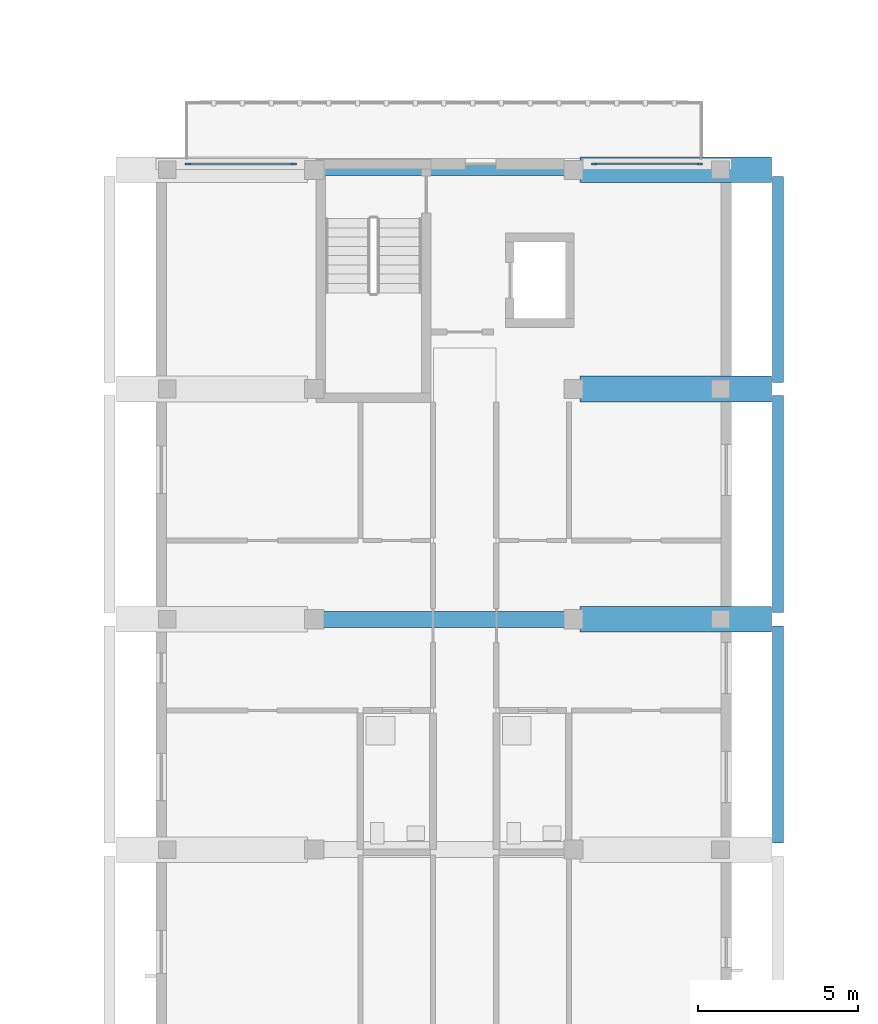
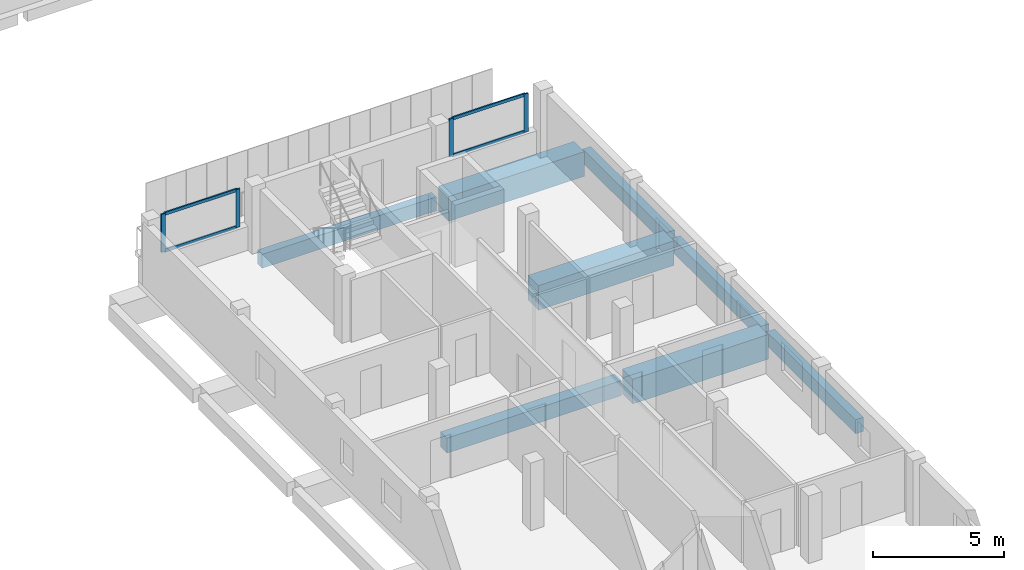
# One storey, part 7 of 41: 8 beams, 8 members, 2 elements without a shape of their own.
"""IFC4 building model written with IfcOpenShell, lengths in metres."""

from ifc_helpers import new_model, si_unit, derived_unit, direction, frame, origin, origin_2d, place, context, subcontext, project, spatial, rectangle, extrude, material, layer, layer_set, material_profile, profile_set, type_object, element, aggregate, save


model = new_model("IFC4")

# Units and contexts
model_context = context("Model", 3, precision=1e-05, world=origin(), true_north=direction((0.0, 1.0)))
body_context = subcontext(model_context, "Body", "Model", "MODEL_VIEW")
ifc_project = project(units=[si_unit("LENGTHUNIT", "METRE"), si_unit("AREAUNIT", "SQUARE_METRE"), si_unit("VOLUMEUNIT", "CUBIC_METRE"), si_unit("PLANEANGLEUNIT", "RADIAN"), si_unit("MASSUNIT", "GRAM", prefix="KILO"), derived_unit("THERMALTRANSMITTANCEUNIT", [(si_unit("MASSUNIT", "GRAM", prefix="KILO"), 1), (si_unit("TIMEUNIT", "SECOND"), -3), (si_unit("THERMODYNAMICTEMPERATUREUNIT", "KELVIN"), -1)])], contexts=[model_context])

# Site, building, storey
site_placement = place(None, origin())
site = spatial("IfcSite", under=ifc_project, at=site_placement, CompositionType="ELEMENT")
building_placement = place(site_placement, origin())
building = spatial("IfcBuilding", under=site, at=building_placement, Name="Ochrekiln Boulevard Commons", CompositionType="ELEMENT")
storey_placement = place(building_placement, frame((0.0, 0.0, 21.52490234375)))
storey = spatial("IfcBuildingStorey", under=building, at=storey_placement, Name="L06", CompositionType="ELEMENT", Elevation=21.52490234375)

# Beams
ifc_material_1 = material(Name="Concrete C40/50", Category="concrete")
ifc_material_profile_1 = material_profile(ifc_material_1, rectangle(XDim=0.5, YDim=0.699951171875, at=origin_2d()), Name="RC-BM-500x700")
ifc_profile_set_1 = profile_set([ifc_material_profile_1], Name="Concrete C40/50")
beam_type_1 = type_object("IfcBeamType", Name="BM-RC-500x700", PredefinedType="BEAM", material=ifc_profile_set_1)
beam_1_placement = place(storey_placement, frame((156.360107421875, 36.0, -0.60986328125), z_axis=(1.0, 0.0, 0.0), x_axis=(0.0, 1.0, 0.0)))
element("IfcBeam", 1, at=beam_1_placement, inside=storey, type_object=beam_type_1, Name="Block C L06 Beam B-5070 X16", PredefinedType="BEAM", context=body_context, shape_type="SweptSolid", body=[
    extrude(rectangle(XDim=0.5, YDim=0.699951171875, at=origin_2d()), origin(), (0.0, 0.0, 1.0), 7.679931640625),
])
ifc_material_profile_2 = material_profile(ifc_material_1, rectangle(XDim=0.800048828125, YDim=1.14990234375, at=origin_2d()), Name="RC-TRG-800x1150")
ifc_profile_set_2 = profile_set([ifc_material_profile_2], Name="Concrete C40/50")
beam_type_2 = type_object("IfcBeamType", Name="BM-TRG-800x1150", PredefinedType="BEAM", material=ifc_profile_set_2)
for number, where, z_axis, x_axis, name in (
    (2, (164.4599609375, 36.0, -0.8349609375), (1.0, 0.0, 0.0), (0.0, 1.0, 0.0), "Block C L06 Beam TG-01 X17"),
    (3, (164.4599609375, 43.199951171875, -0.8349609375), (1.0, 0.0, 0.0), (0.0, 1.0, 0.0), "Block C L06 Beam TG-01 X19"),
    (4, (164.4599609375, 50.050048828125, -0.8349609375), (1.0, 0.0, 0.0), (0.0, 1.0, 0.0), "Block C L06 Beam TG-01 X22"),
):
    element("IfcBeam", number, at=place(storey_placement, frame(where, z_axis=z_axis, x_axis=x_axis)), inside=storey, type_object=beam_type_2, Name=name, PredefinedType="BEAM", context=body_context, shape_type="SweptSolid", body=[
        extrude(rectangle(XDim=0.800048828125, YDim=1.14990234375, at=origin_2d()), origin(), (0.0, 0.0, 1.0), 5.97998046875),
    ])

# Curtain wall, members
ifc_material_2 = material(Name="Bronze-anodized extruded aluminium 6063-T6", Category="aluminium")
ifc_layer = layer(ifc_material_2, 0.18408203125)
ifc_layer_set = layer_set([ifc_layer], Name="Bronze-anodized extruded aluminium 6063-T6")
curtain_wall_type = type_object("IfcCurtainWallType", Name="CW-GABLE-B", PredefinedType="USERDEFINED", material=ifc_layer_set)
curtain_wall_1_placement = place(storey_placement, origin())
curtain_wall_1 = element("IfcCurtainWall", 5, at=curtain_wall_1_placement, inside=storey, type_object=curtain_wall_type, Name="Block C L06 Courtyard Glazed Gable Curtain Wall 1", ObjectType="GLAZED CURTAIN WALL", PredefinedType="USERDEFINED")
ifc_material_profile_3 = material_profile(ifc_material_2, rectangle(XDim=0.06494140625, YDim=0.179931640625, at=origin_2d()), Name="ALU-MUL-65x180")
ifc_profile_set_3 = profile_set([ifc_material_profile_3], Name="Bronze-anodized extruded aluminium 6063-T6")
member_type_1 = type_object("IfcMemberType", Name="CWM-65x180", PredefinedType="MULLION", material=ifc_profile_set_3)
member_1_placement = place(storey_placement, frame((152.202392578125, 50.235107421875, 1.110107421875), z_axis=(0.0, 0.0, 1.0), x_axis=(0.0, 1.0, 0.0)))
member_1 = element("IfcMember", 6, at=member_1_placement, type_object=member_type_1, Name="CW-02 mullion 1", PredefinedType="MULLION", context=body_context, shape_type="SweptSolid", body=[
    extrude(rectangle(XDim=0.06494140625, YDim=0.179931640625, at=origin_2d()), origin(), (0.0, 0.0, 1.0), 1.780029296875),
])
member_2_placement = place(storey_placement, frame((155.49755859375, 50.235107421875, 1.110107421875), z_axis=(0.0, 0.0, 1.0), x_axis=(0.0, 1.0, 0.0)))
member_2 = element("IfcMember", 7, at=member_2_placement, type_object=member_type_1, Name="CW-02 mullion 2", PredefinedType="MULLION", context=body_context, shape_type="SweptSolid", body=[
    extrude(rectangle(XDim=0.06494140625, YDim=0.179931640625, at=origin_2d()), origin(), (0.0, 0.0, 1.0), 1.780029296875),
])

curtain_wall_2_placement = place(storey_placement, origin())
curtain_wall_2 = element("IfcCurtainWall", 8, at=curtain_wall_2_placement, inside=storey, type_object=curtain_wall_type, Name="Block C L06 Courtyard Glazed Gable Curtain Wall 2", ObjectType="GLAZED CURTAIN WALL", PredefinedType="USERDEFINED")
member_3_placement = place(storey_placement, frame((164.902587890625, 50.235107421875, 1.110107421875), z_axis=(0.0, 0.0, 1.0), x_axis=(0.0, 1.0, 0.0)))
member_3 = element("IfcMember", 9, at=member_3_placement, type_object=member_type_1, Name="CW-02 mullion 1", PredefinedType="MULLION", context=body_context, shape_type="SweptSolid", body=[
    extrude(rectangle(XDim=0.06494140625, YDim=0.179931640625, at=origin_2d()), origin(), (0.0, 0.0, 1.0), 1.780029296875),
])
member_4_placement = place(storey_placement, frame((168.197509765625, 50.235107421875, 1.110107421875), z_axis=(0.0, 0.0, 1.0), x_axis=(0.0, 1.0, 0.0)))
member_4 = element("IfcMember", 10, at=member_4_placement, type_object=member_type_1, Name="CW-02 mullion 2", PredefinedType="MULLION", context=body_context, shape_type="SweptSolid", body=[
    extrude(rectangle(XDim=0.06494140625, YDim=0.179931640625, at=origin_2d()), origin(), (0.0, 0.0, 1.0), 1.780029296875),
])

# Member
ifc_material_profile_4 = material_profile(ifc_material_2, rectangle(XDim=0.06494140625, YDim=0.139892578125, at=origin_2d()), Name="ALU-TRN-65x140")
ifc_profile_set_4 = profile_set([ifc_material_profile_4], Name="Bronze-anodized extruded aluminium 6063-T6")
member_type_2 = type_object("IfcMemberType", Name="CWT-65x140", PredefinedType="USERDEFINED", material=ifc_profile_set_4)
member_5_placement = place(storey_placement, frame((152.235107421875, 50.235107421875, 1.142578125), z_axis=(1.0, 0.0, 0.0), x_axis=(0.0, 1.0, 0.0)))
member_5 = element("IfcMember", 11, at=member_5_placement, type_object=member_type_2, Name="CW-02 transom 1.1", ObjectType="TRANSOM", PredefinedType="USERDEFINED", context=body_context, shape_type="SweptSolid", body=[
    extrude(rectangle(XDim=0.06494140625, YDim=0.139892578125, at=origin_2d()), origin(), (0.0, 0.0, 1.0), 3.22998046875),
])

member_6_placement = place(storey_placement, frame((152.235107421875, 50.235107421875, 2.857666015625), z_axis=(1.0, 0.0, 0.0), x_axis=(0.0, 1.0, 0.0)))
member_6 = element("IfcMember", 12, at=member_6_placement, type_object=member_type_2, Name="CW-02 transom 1.2", ObjectType="TRANSOM", PredefinedType="USERDEFINED", context=body_context, shape_type="SweptSolid", body=[
    extrude(rectangle(XDim=0.06494140625, YDim=0.139892578125, at=origin_2d()), origin(), (0.0, 0.0, 1.0), 3.22998046875),
])

aggregate(curtain_wall_1, [member_1, member_2, member_5, member_6])

member_7_placement = place(storey_placement, frame((164.93505859375, 50.235107421875, 1.142578125), z_axis=(1.0, 0.0, 0.0), x_axis=(0.0, 1.0, 0.0)))
member_7 = element("IfcMember", 13, at=member_7_placement, type_object=member_type_2, Name="CW-02 transom 1.1", ObjectType="TRANSOM", PredefinedType="USERDEFINED", context=body_context, shape_type="SweptSolid", body=[
    extrude(rectangle(XDim=0.06494140625, YDim=0.139892578125, at=origin_2d()), origin(), (0.0, 0.0, 1.0), 3.22998046875),
])

member_8_placement = place(storey_placement, frame((164.93505859375, 50.235107421875, 2.857666015625), z_axis=(1.0, 0.0, 0.0), x_axis=(0.0, 1.0, 0.0)))
member_8 = element("IfcMember", 14, at=member_8_placement, type_object=member_type_2, Name="CW-02 transom 1.2", ObjectType="TRANSOM", PredefinedType="USERDEFINED", context=body_context, shape_type="SweptSolid", body=[
    extrude(rectangle(XDim=0.06494140625, YDim=0.139892578125, at=origin_2d()), origin(), (0.0, 0.0, 1.0), 3.22998046875),
])

aggregate(curtain_wall_2, [member_3, member_4, member_7, member_8])

# Beams
ifc_material_profile_5 = material_profile(ifc_material_1, rectangle(XDim=0.35009765625, YDim=0.64990234375, at=origin_2d()), Name="RC-SPN-350x650")
ifc_profile_set_5 = profile_set([ifc_material_profile_5], Name="Concrete C40/50")
beam_type_3 = type_object("IfcBeamType", Name="SPN-RC-350x650", PredefinedType="SPANDREL", material=ifc_profile_set_5)
beam_2_placement = place(storey_placement, frame((156.360107421875, 50.050048828125, -0.5849609375), z_axis=(1.0, 0.0, 0.0), x_axis=(0.0, 1.0, 0.0)))
element("IfcBeam", 15, at=beam_2_placement, inside=storey, type_object=beam_type_3, Name="Block C L06 Beam SP-3565 X21", PredefinedType="SPANDREL", context=body_context, shape_type="SweptSolid", body=[
    extrude(rectangle(XDim=0.35009765625, YDim=0.64990234375, at=origin_2d()), origin(), (0.0, 0.0, 1.0), 7.679931640625),
])
for number, where, z_axis, x_axis, name in (
    (16, (170.64990234375, 29.010009765625, -0.5849609375), (0.0, 1.0, 0.0), (-1.0, 0.0, 0.0), "Block C L06 Beam SP-3565 Y34"),
    (17, (170.64990234375, 36.2099609375, -0.5849609375), (0.0, 1.0, 0.0), (-1.0, 0.0, 0.0), "Block C L06 Beam SP-3565 Y35"),
):
    element("IfcBeam", number, at=place(storey_placement, frame(where, z_axis=z_axis, x_axis=x_axis)), inside=storey, type_object=beam_type_3, Name=name, PredefinedType="SPANDREL", context=body_context, shape_type="SweptSolid", body=[
        extrude(rectangle(XDim=0.35009765625, YDim=0.64990234375, at=origin_2d()), origin(), (0.0, 0.0, 1.0), 6.780029296875),
    ])
beam_3_placement = place(storey_placement, frame((170.64990234375, 43.409912109375, -0.5849609375), z_axis=(0.0, 1.0, 0.0), x_axis=(-1.0, 0.0, 0.0)))
element("IfcBeam", 18, at=beam_3_placement, inside=storey, type_object=beam_type_3, Name="Block C L06 Beam SP-3565 Y36", PredefinedType="SPANDREL", context=body_context, shape_type="SweptSolid", body=[
    extrude(rectangle(XDim=0.35009765625, YDim=0.64990234375, at=origin_2d()), origin(), (0.0, 0.0, 1.0), 6.43017578125),
])

save(model, "model.ifc")
